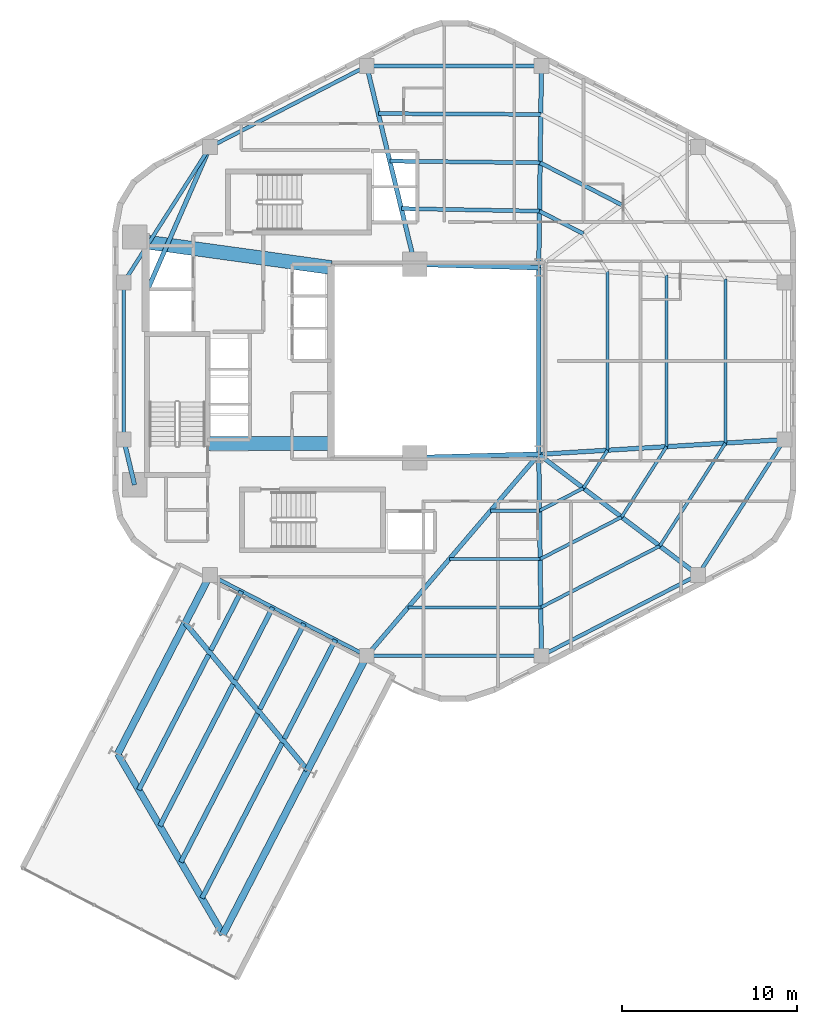
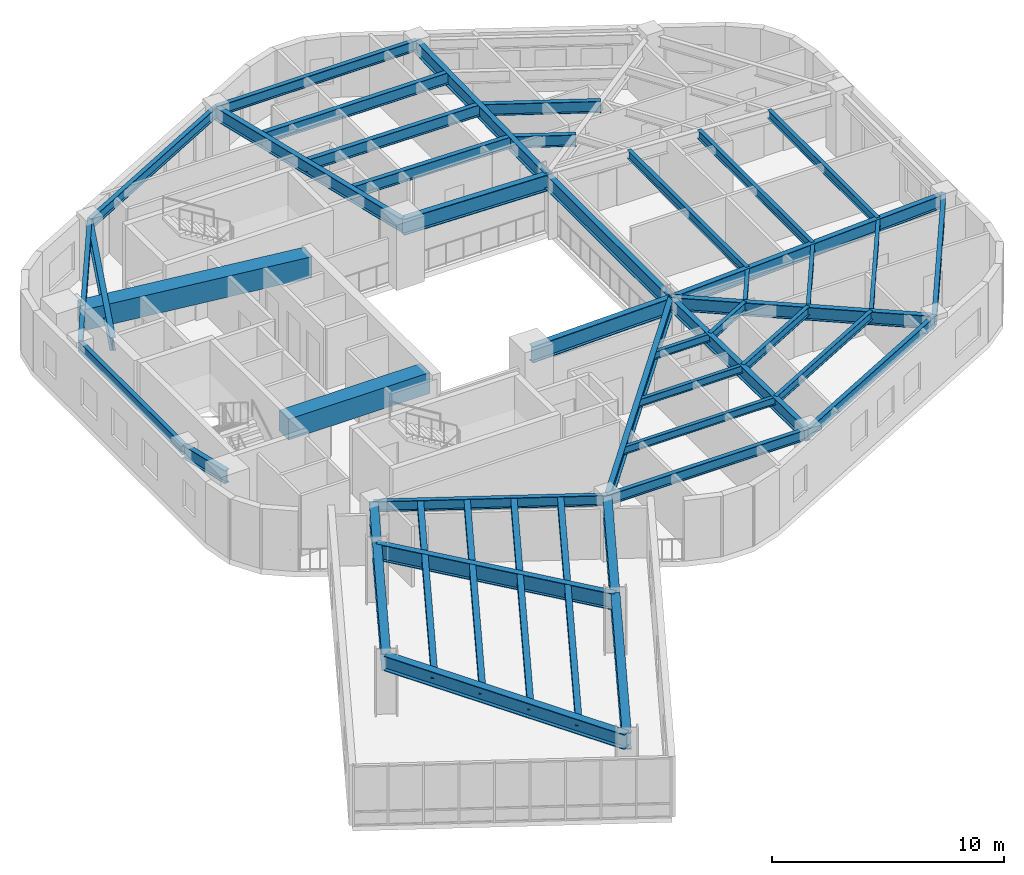
# One storey, part 3 of 10: 52 beams.
"""IFC4 building model written with IfcOpenShell, lengths in metres."""

from ifc_helpers import new_model, si_unit, direction, frame, origin, origin_2d, place, context, subcontext, project, spatial, rectangle, i_section, extrude, material, material_profile, profile_set, type_object, element, save


model = new_model("IFC4")

# Units and contexts
model_context = context("Model", 3, precision=1e-05, world=origin(), true_north=direction((0.0, 1.0)))
body_context = subcontext(model_context, "Body", "Model", "MODEL_VIEW")
ifc_project = project(units=[si_unit("LENGTHUNIT", "METRE"), si_unit("AREAUNIT", "SQUARE_METRE"), si_unit("VOLUMEUNIT", "CUBIC_METRE"), si_unit("PLANEANGLEUNIT", "RADIAN"), si_unit("MASSUNIT", "GRAM", prefix="KILO"), si_unit("THERMODYNAMICTEMPERATUREUNIT", "KELVIN"), si_unit("POWERUNIT", "WATT")], contexts=[model_context])

# Site, building, storey
site_placement = place(None, origin())
site = spatial("IfcSite", under=ifc_project, at=site_placement, CompositionType="ELEMENT")
building_placement = place(site_placement, origin())
building = spatial("IfcBuilding", under=site, at=building_placement, Name="Skarre Station Tower", CompositionType="ELEMENT")
storey_placement = place(building_placement, frame((0.0, 0.0, 180.89990234375)))
storey = spatial("IfcBuildingStorey", under=building, at=storey_placement, Name="L49", CompositionType="ELEMENT", Elevation=180.89990234375)

# Beams
ifc_material_1 = material(Name="Concrete C70/85", Category="concrete")
ifc_material_profile_1 = material_profile(ifc_material_1, rectangle(XDim=0.800048828125, YDim=1.10009765625, at=origin_2d()), Name="Concrete C70/85")
ifc_profile_set_1 = profile_set([ifc_material_profile_1], Name="Concrete C70/85")
beam_type_1 = type_object("IfcBeamType", Name="RC Core Coupling Lintel 800x1100", PredefinedType="LINTEL", material=ifc_profile_set_1)
beam_1_placement = place(storey_placement, frame((20.489990234375, 19.260009765625, 2.64013671875), z_axis=(1.0, 0.0, 0.0), x_axis=(0.0, 1.0, 0.0)))
element("IfcBeam", 1, at=beam_1_placement, inside=storey, type_object=beam_type_1, Name="L49 South Core Coupling Lintel", PredefinedType="LINTEL", context=body_context, shape_type="SweptSolid", body=[
    extrude(rectangle(XDim=0.800048828125, YDim=1.10009765625, at=origin_2d()), origin(), (0.0, 0.0, 1.0), 7.06005859375),
])
beam_2_placement = place(storey_placement, frame((17.050048828125, 30.800048828125, 2.64013671875), z_axis=(0.990599723633, -0.136792498109, 0.0), x_axis=(0.136792498109, 0.990599723633, 0.0)))
element("IfcBeam", 2, at=beam_2_placement, inside=storey, type_object=beam_type_1, Name="L49 North Core Coupling Lintel", PredefinedType="LINTEL", context=body_context, shape_type="SweptSolid", body=[
    extrude(rectangle(XDim=0.800048828125, YDim=1.10009765625, at=origin_2d()), origin(), (0.0, 0.0, 1.0), 10.599609375),
])
ifc_material_2 = material(Name="Steel ASTM A992 Grade 50", Category="steel")
ifc_material_profile_2 = material_profile(ifc_material_2, i_section(OverallWidth=0.256103515625, OverallDepth=0.693115234375, WebThickness=0.013916015625, FlangeThickness=0.02392578125, at=origin_2d()), Name="Steel ASTM A992 Grade 50")
ifc_profile_set_2 = profile_set([ifc_material_profile_2], Name="Steel ASTM A992 Grade 50")
beam_type_2 = type_object("IfcBeamType", Name="Steel Beam W27X114", PredefinedType="BEAM", material=ifc_profile_set_2)
beam_3_placement = place(storey_placement, frame((39.449951171875, 29.35009765625, 2.843994140625), z_axis=(0.013181528887, 0.999913119874, 0.0), x_axis=(-0.999913119874, 0.013181528887, 0.0)))
element("IfcBeam", 3, at=beam_3_placement, inside=storey, type_object=beam_type_2, Name="L49 Radial Floor Girder F0C2", PredefinedType="BEAM", context=body_context, shape_type="SweptSolid", body=[
    extrude(i_section(OverallWidth=0.256103515625, OverallDepth=0.693115234375, WebThickness=0.013916015625, FlangeThickness=0.02392578125, at=origin_2d()), origin(), (0.0, 0.0, 1.0), 11.538818359375),
])
beam_4_placement = place(storey_placement, frame((32.35009765625, 29.550048828125, 2.843994140625), z_axis=(-0.235892880832, 0.971779063765, 0.0), x_axis=(-0.971779063765, -0.235892880832, 0.0)))
element("IfcBeam", 4, at=beam_4_placement, inside=storey, type_object=beam_type_2, Name="L49 Radial Floor Girder F1C1", PredefinedType="BEAM", context=body_context, shape_type="SweptSolid", body=[
    extrude(i_section(OverallWidth=0.256103515625, OverallDepth=0.693115234375, WebThickness=0.013916015625, FlangeThickness=0.02392578125, at=origin_2d()), origin(), (0.0, 0.0, 1.0), 11.667236328125),
])
beam_5_placement = place(storey_placement, frame((17.010009765625, 28.0, 2.843994140625), z_axis=(0.401144174417, 0.916014929644, 0.0), x_axis=(-0.916014929644, 0.401144174417, 0.0)))
element("IfcBeam", 5, at=beam_5_placement, inside=storey, type_object=beam_type_2, Name="L49 Radial Floor Girder F1C2", PredefinedType="BEAM", context=body_context, shape_type="SweptSolid", body=[
    extrude(i_section(OverallWidth=0.256103515625, OverallDepth=0.693115234375, WebThickness=0.013916015625, FlangeThickness=0.02392578125, at=origin_2d()), origin(), (0.0, 0.0, 1.0), 9.01416015625),
])
beam_6_placement = place(storey_placement, frame((16.300048828125, 16.89990234375, 2.843994140625), z_axis=(-0.232764815072, 0.972533053867, 0.0), x_axis=(-0.972533053867, -0.232764815072, 0.0)))
element("IfcBeam", 6, at=beam_6_placement, inside=storey, type_object=beam_type_2, Name="L49 Radial Floor Girder F2C2", PredefinedType="BEAM", context=body_context, shape_type="SweptSolid", body=[
    extrude(i_section(OverallWidth=0.256103515625, OverallDepth=0.693115234375, WebThickness=0.013916015625, FlangeThickness=0.02392578125, at=origin_2d()), origin(), (0.0, 0.0, 1.0), 2.672607421875),
])
beam_7_placement = place(storey_placement, frame((39.449951171875, 18.64990234375, 2.843994140625), z_axis=(-0.649364312169, -0.760477475065, 0.0), x_axis=(0.760477475065, -0.649364312169, 0.0)))
element("IfcBeam", 7, at=beam_7_placement, inside=storey, type_object=beam_type_2, Name="L49 Radial Floor Girder F3C2", PredefinedType="BEAM", context=body_context, shape_type="SweptSolid", body=[
    extrude(i_section(OverallWidth=0.256103515625, OverallDepth=0.693115234375, WebThickness=0.013916015625, FlangeThickness=0.02392578125, at=origin_2d()), origin(), (0.0, 0.0, 1.0), 15.171875),
])
beam_8_placement = place(storey_placement, frame((39.449951171875, 18.64990234375, 2.843994140625), z_axis=(0.013181528887, -0.999913119874, 0.0), x_axis=(0.999913119874, 0.013181528887, 0.0)))
element("IfcBeam", 8, at=beam_8_placement, inside=storey, type_object=beam_type_2, Name="L49 Radial Floor Girder F4C1", PredefinedType="BEAM", context=body_context, shape_type="SweptSolid", body=[
    extrude(i_section(OverallWidth=0.256103515625, OverallDepth=0.693115234375, WebThickness=0.013916015625, FlangeThickness=0.02392578125, at=origin_2d()), origin(), (0.0, 0.0, 1.0), 11.538818359375),
])
beam_9_placement = place(storey_placement, frame((39.449951171875, 18.64990234375, 2.843994140625), z_axis=(0.797308988117, -0.603571352425, 0.0), x_axis=(0.603571352425, 0.797308988117, 0.0)))
element("IfcBeam", 9, at=beam_9_placement, inside=storey, type_object=beam_type_2, Name="L49 Radial Floor Girder F4C2", PredefinedType="BEAM", context=body_context, shape_type="SweptSolid", body=[
    extrude(i_section(OverallWidth=0.256103515625, OverallDepth=0.693115234375, WebThickness=0.013916015625, FlangeThickness=0.02392578125, at=origin_2d()), origin(), (0.0, 0.0, 1.0), 11.443603515625),
])
beam_10_placement = place(storey_placement, frame((39.449951171875, 18.64990234375, 2.843994140625), z_axis=(0.998184432941, 0.060231535207, 0.0), x_axis=(-0.060231535207, 0.998184432941, 0.0)))
element("IfcBeam", 10, at=beam_10_placement, inside=storey, type_object=beam_type_2, Name="L49 Radial Floor Girder F5C1", PredefinedType="BEAM", context=body_context, shape_type="SweptSolid", body=[
    extrude(i_section(OverallWidth=0.256103515625, OverallDepth=0.693115234375, WebThickness=0.013916015625, FlangeThickness=0.02392578125, at=origin_2d()), origin(), (0.0, 0.0, 1.0), 14.09765625),
])
ifc_material_profile_3 = material_profile(ifc_material_2, i_section(OverallWidth=0.26806640625, OverallDepth=0.77001953125, WebThickness=0.01611328125, FlangeThickness=0.02490234375, at=origin_2d()), Name="Steel ASTM A992 Grade 50")
ifc_profile_set_3 = profile_set([ifc_material_profile_3], Name="Steel ASTM A992 Grade 50")
beam_type_3 = type_object("IfcBeamType", Name="Steel Beam W30X132", PredefinedType="BEAM", material=ifc_profile_set_3)
beam_11_placement = place(storey_placement, frame((39.449951171875, 18.64990234375, 2.80517578125), z_axis=(0.0, 1.0, 0.0), x_axis=(-1.0, 0.0, 0.0)))
element("IfcBeam", 11, at=beam_11_placement, inside=storey, type_object=beam_type_3, Name="L49 Atrium East Edge Girder", PredefinedType="BEAM", context=body_context, shape_type="SweptSolid", body=[
    extrude(i_section(OverallWidth=0.26806640625, OverallDepth=0.77001953125, WebThickness=0.01611328125, FlangeThickness=0.02490234375, at=origin_2d()), origin(), (0.0, 0.0, 1.0), 10.7001953125),
])
ifc_material_profile_4 = material_profile(ifc_material_2, i_section(OverallWidth=0.2919921875, OverallDepth=0.85888671875, WebThickness=0.01708984375, FlangeThickness=0.031005859375, at=origin_2d()), Name="Steel ASTM A992 Grade 50")
ifc_profile_set_4 = profile_set([ifc_material_profile_4], Name="Steel ASTM A992 Grade 50")
beam_type_4 = type_object("IfcBeamType", Name="Steel Beam W33X169", PredefinedType="BEAM", material=ifc_profile_set_4)
for number, where, z_axis, x_axis, name in (
    (12, (32.35009765625, 18.449951171875, 2.760986328125), (0.999603666405, 0.028151556095, 0.0), (-0.028151556095, 0.999603666405, 0.0), "L49 Atrium South Edge Girder"),
    (13, (32.35009765625, 29.550048828125, 2.760986328125), (0.999603666405, -0.028151556095, 0.0), (0.028151556095, 0.999603666405, 0.0), "L49 Atrium North Edge Girder"),
):
    element("IfcBeam", number, at=place(storey_placement, frame(where, z_axis=z_axis, x_axis=x_axis)), inside=storey, type_object=beam_type_4, Name=name, PredefinedType="BEAM", context=body_context, shape_type="SweptSolid", body=[
        extrude(i_section(OverallWidth=0.2919921875, OverallDepth=0.85888671875, WebThickness=0.01708984375, FlangeThickness=0.031005859375, at=origin_2d()), origin(), (0.0, 0.0, 1.0), 7.102783203125),
    ])
beam_12_placement = place(storey_placement, frame((19.2041015625, 8.988037109375, 2.736083984375), z_axis=(0.639128306771, -0.769100128386, 0.0), x_axis=(0.769100128386, 0.639128306771, 0.0)))
element("IfcBeam", 14, at=beam_12_placement, inside=storey, type_object=beam_type_4, Name="L49 SB-4 Mid Transverse Girder", PredefinedType="BEAM", context=body_context, shape_type="SweptSolid", body=[
    extrude(i_section(OverallWidth=0.2919921875, OverallDepth=0.85888671875, WebThickness=0.01708984375, FlangeThickness=0.031005859375, at=origin_2d()), origin(), (0.0, 0.0, 1.0), 10.966064453125),
])
ifc_material_profile_5 = material_profile(ifc_material_2, i_section(OverallWidth=0.40087890625, OverallDepth=0.876953125, WebThickness=0.02197265625, FlangeThickness=0.0400390625, at=origin_2d()), Name="Steel ASTM A992 Grade 50")
ifc_profile_set_5 = profile_set([ifc_material_profile_5], Name="Steel ASTM A992 Grade 50")
beam_type_5 = type_object("IfcBeamType", Name="Steel Beam W33X263", PredefinedType="BEAM", material=ifc_profile_set_5)
beam_13_placement = place(storey_placement, frame((20.6259765625, 11.742919921875, 2.72607421875), z_axis=(-0.45864291977, -0.888620657055, 0.0), x_axis=(0.888620657055, -0.45864291977, 0.0)))
element("IfcBeam", 15, at=beam_13_placement, inside=storey, type_object=beam_type_5, Name="L49 SB-4 Side 1 Inner Girder", PredefinedType="BEAM", context=body_context, shape_type="SweptSolid", body=[
    extrude(i_section(OverallWidth=0.40087890625, OverallDepth=0.876953125, WebThickness=0.02197265625, FlangeThickness=0.0400390625, at=origin_2d()), origin(), (0.0, 0.0, 1.0), 3.10009765625),
])
beam_14_placement = place(storey_placement, frame((19.2041015625, 8.988037109375, 2.72607421875), z_axis=(-0.4586340671, -0.888625226119, 0.0), x_axis=(0.888625226119, -0.4586340671, 0.0)))
element("IfcBeam", 16, at=beam_14_placement, inside=storey, type_object=beam_type_5, Name="L49 SB-4 Side 1 Outer Girder", PredefinedType="BEAM", context=body_context, shape_type="SweptSolid", body=[
    extrude(i_section(OverallWidth=0.40087890625, OverallDepth=0.876953125, WebThickness=0.02197265625, FlangeThickness=0.0400390625, at=origin_2d()), origin(), (0.0, 0.0, 1.0), 8.429931640625),
])
beam_15_placement = place(storey_placement, frame((29.597900390625, 7.112060546875, 2.72607421875), z_axis=(-0.45866230048, -0.88861065384, 0.0), x_axis=(0.88861065384, -0.45866230048, 0.0)))
element("IfcBeam", 17, at=beam_15_placement, inside=storey, type_object=beam_type_5, Name="L49 SB-4 Side 2 Inner Girder", PredefinedType="BEAM", context=body_context, shape_type="SweptSolid", body=[
    extrude(i_section(OverallWidth=0.40087890625, OverallDepth=0.876953125, WebThickness=0.02197265625, FlangeThickness=0.0400390625, at=origin_2d()), origin(), (0.0, 0.0, 1.0), 7.380126953125),
])
beam_16_placement = place(storey_placement, frame((26.212890625, 0.553955078125, 2.72607421875), z_axis=(-0.458632918092, -0.88862581914, 0.0), x_axis=(0.88862581914, -0.458632918092, 0.0)))
element("IfcBeam", 18, at=beam_16_placement, inside=storey, type_object=beam_type_5, Name="L49 SB-4 Side 2 Outer Girder", PredefinedType="BEAM", context=body_context, shape_type="SweptSolid", body=[
    extrude(i_section(OverallWidth=0.40087890625, OverallDepth=0.876953125, WebThickness=0.02197265625, FlangeThickness=0.0400390625, at=origin_2d()), origin(), (0.0, 0.0, 1.0), 10.5703125),
])
ifc_material_profile_6 = material_profile(ifc_material_2, i_section(OverallWidth=0.177978515625, OverallDepth=0.403076171875, WebThickness=0.008056640625, FlangeThickness=0.010986328125, at=origin_2d()), Name="Steel ASTM A992 Grade 50")
ifc_profile_set_6 = profile_set([ifc_material_profile_6], Name="Steel ASTM A992 Grade 50")
beam_type_6 = type_object("IfcBeamType", Name="Steel Joist W16X36", PredefinedType="JOIST", material=ifc_profile_set_6)
beam_17_placement = place(storey_placement, frame((36.69091796875, 15.4189453125, 2.988037109375), z_axis=(1.0, 0.0, 0.0), x_axis=(0.0, 1.0, 0.0)))
element("IfcBeam", 19, at=beam_17_placement, inside=storey, type_object=beam_type_6, Name="L49 Auxiliary Composite Joist 10", PredefinedType="JOIST", context=body_context, shape_type="SweptSolid", body=[
    extrude(i_section(OverallWidth=0.177978515625, OverallDepth=0.403076171875, WebThickness=0.008056640625, FlangeThickness=0.010986328125, at=origin_2d()), origin(), (0.0, 0.0, 1.0), 2.802001953125),
])
beam_18_placement = place(storey_placement, frame((34.326904296875, 12.64990234375, 2.988037109375), z_axis=(1.0, 0.0, 0.0), x_axis=(0.0, 1.0, 0.0)))
element("IfcBeam", 20, at=beam_18_placement, inside=storey, type_object=beam_type_6, Name="L49 Auxiliary Composite Joist 11", PredefinedType="JOIST", context=body_context, shape_type="SweptSolid", body=[
    extrude(i_section(OverallWidth=0.177978515625, OverallDepth=0.403076171875, WebThickness=0.008056640625, FlangeThickness=0.010986328125, at=origin_2d()), origin(), (0.0, 0.0, 1.0), 5.2021484375),
])
beam_19_placement = place(storey_placement, frame((31.9619140625, 9.881103515625, 2.988037109375), z_axis=(1.0, 0.0, 0.0), x_axis=(0.0, 1.0, 0.0)))
element("IfcBeam", 21, at=beam_19_placement, inside=storey, type_object=beam_type_6, Name="L49 Auxiliary Composite Joist 12", PredefinedType="JOIST", context=body_context, shape_type="SweptSolid", body=[
    extrude(i_section(OverallWidth=0.177978515625, OverallDepth=0.403076171875, WebThickness=0.008056640625, FlangeThickness=0.010986328125, at=origin_2d()), origin(), (0.0, 0.0, 1.0), 7.60400390625),
])
beam_20_placement = place(storey_placement, frame((42.0048828125, 16.716064453125, 2.988037109375), z_axis=(0.537678636248, 0.843149858639, 0.0), x_axis=(-0.843149858639, 0.537678636248, 0.0)))
element("IfcBeam", 22, at=beam_20_placement, inside=storey, type_object=beam_type_6, Name="L49 Auxiliary Composite Joist 16", PredefinedType="JOIST", context=body_context, shape_type="SweptSolid", body=[
    extrude(i_section(OverallWidth=0.177978515625, OverallDepth=0.403076171875, WebThickness=0.008056640625, FlangeThickness=0.010986328125, at=origin_2d()), origin(), (0.0, 0.0, 1.0), 2.575927734375),
])
beam_21_placement = place(storey_placement, frame((44.194091796875, 15.05810546875, 2.988037109375), z_axis=(0.53785259263, 0.843038901001, 0.0), x_axis=(-0.843038901001, 0.53785259263, 0.0)))
element("IfcBeam", 23, at=beam_21_placement, inside=storey, type_object=beam_type_6, Name="L49 Auxiliary Composite Joist 17", PredefinedType="JOIST", context=body_context, shape_type="SweptSolid", body=[
    extrude(i_section(OverallWidth=0.177978515625, OverallDepth=0.403076171875, WebThickness=0.008056640625, FlangeThickness=0.010986328125, at=origin_2d()), origin(), (0.0, 0.0, 1.0), 4.783935546875),
])
beam_22_placement = place(storey_placement, frame((46.384033203125, 13.40087890625, 2.988037109375), z_axis=(0.537916675884, 0.842998012931, 0.0), x_axis=(-0.842998012931, 0.537916675884, 0.0)))
element("IfcBeam", 24, at=beam_22_placement, inside=storey, type_object=beam_type_6, Name="L49 Auxiliary Composite Joist 18", PredefinedType="JOIST", context=body_context, shape_type="SweptSolid", body=[
    extrude(i_section(OverallWidth=0.177978515625, OverallDepth=0.403076171875, WebThickness=0.008056640625, FlangeThickness=0.010986328125, at=origin_2d()), origin(), (0.0, 0.0, 1.0), 6.99169921875),
])
ifc_material_profile_7 = material_profile(ifc_material_2, i_section(OverallWidth=0.19091796875, OverallDepth=0.45703125, WebThickness=0.009033203125, FlangeThickness=0.013916015625, at=origin_2d()), Name="Steel ASTM A992 Grade 50")
ifc_profile_set_7 = profile_set([ifc_material_profile_7], Name="Steel ASTM A992 Grade 50")
beam_type_7 = type_object("IfcBeamType", Name="Steel Joist W18X50", PredefinedType="JOIST", material=ifc_profile_set_7)
beam_23_placement = place(storey_placement, frame((39.492919921875, 15.4189453125, 2.962158203125), z_axis=(0.888530947613, 0.458816690122, 0.0), x_axis=(-0.458816690122, 0.888530947613, 0.0)))
element("IfcBeam", 25, at=beam_23_placement, inside=storey, type_object=beam_type_7, Name="L49 Auxiliary Composite Joist 13", PredefinedType="JOIST", context=body_context, shape_type="SweptSolid", body=[
    extrude(i_section(OverallWidth=0.19091796875, OverallDepth=0.45703125, WebThickness=0.009033203125, FlangeThickness=0.013916015625, at=origin_2d()), origin(), (0.0, 0.0, 1.0), 2.8271484375),
])
beam_24_placement = place(storey_placement, frame((39.529052734375, 12.64990234375, 2.962158203125), z_axis=(0.888586417093, 0.458709253622, 0.0), x_axis=(-0.458709253622, 0.888586417093, 0.0)))
element("IfcBeam", 26, at=beam_24_placement, inside=storey, type_object=beam_type_7, Name="L49 Auxiliary Composite Joist 14", PredefinedType="JOIST", context=body_context, shape_type="SweptSolid", body=[
    extrude(i_section(OverallWidth=0.19091796875, OverallDepth=0.45703125, WebThickness=0.009033203125, FlangeThickness=0.013916015625, at=origin_2d()), origin(), (0.0, 0.0, 1.0), 5.25),
])
beam_25_placement = place(storey_placement, frame((39.56591796875, 9.881103515625, 2.962158203125), z_axis=(0.888580913917, 0.458719913916, 0.0), x_axis=(-0.458719913916, 0.888580913917, 0.0)))
element("IfcBeam", 27, at=beam_25_placement, inside=storey, type_object=beam_type_7, Name="L49 Auxiliary Composite Joist 15", PredefinedType="JOIST", context=body_context, shape_type="SweptSolid", body=[
    extrude(i_section(OverallWidth=0.19091796875, OverallDepth=0.45703125, WebThickness=0.009033203125, FlangeThickness=0.013916015625, at=origin_2d()), origin(), (0.0, 0.0, 1.0), 7.673095703125),
])
beam_26_placement = place(storey_placement, frame((43.389892578125, 18.887939453125, 2.962158203125), z_axis=(0.0, 1.0, 0.0), x_axis=(-1.0, 0.0, 0.0)))
element("IfcBeam", 28, at=beam_26_placement, inside=storey, type_object=beam_type_7, Name="L49 Auxiliary Composite Joist 19", PredefinedType="JOIST", context=body_context, shape_type="SweptSolid", body=[
    extrude(i_section(OverallWidth=0.19091796875, OverallDepth=0.45703125, WebThickness=0.009033203125, FlangeThickness=0.013916015625, at=origin_2d()), origin(), (0.0, 0.0, 1.0), 10.22412109375),
])
beam_27_placement = place(storey_placement, frame((46.76708984375, 19.091064453125, 2.962158203125), z_axis=(0.0, 1.0, 0.0), x_axis=(-1.0, 0.0, 0.0)))
element("IfcBeam", 29, at=beam_27_placement, inside=storey, type_object=beam_type_7, Name="L49 Auxiliary Composite Joist 20", PredefinedType="JOIST", context=body_context, shape_type="SweptSolid", body=[
    extrude(i_section(OverallWidth=0.19091796875, OverallDepth=0.45703125, WebThickness=0.009033203125, FlangeThickness=0.013916015625, at=origin_2d()), origin(), (0.0, 0.0, 1.0), 9.81787109375),
])
beam_28_placement = place(storey_placement, frame((50.14501953125, 19.294921875, 2.962158203125), z_axis=(0.0, 1.0, 0.0), x_axis=(-1.0, 0.0, 0.0)))
element("IfcBeam", 30, at=beam_28_placement, inside=storey, type_object=beam_type_7, Name="L49 Auxiliary Composite Joist 21", PredefinedType="JOIST", context=body_context, shape_type="SweptSolid", body=[
    extrude(i_section(OverallWidth=0.19091796875, OverallDepth=0.45703125, WebThickness=0.009033203125, FlangeThickness=0.013916015625, at=origin_2d()), origin(), (0.0, 0.0, 1.0), 9.41015625),
])
ifc_material_profile_8 = material_profile(ifc_material_2, i_section(OverallWidth=0.280029296875, OverallDepth=0.462890625, WebThickness=0.010986328125, FlangeThickness=0.01708984375, at=origin_2d()), Name="Steel ASTM A992 Grade 50")
ifc_profile_set_8 = profile_set([ifc_material_profile_8], Name="Steel ASTM A992 Grade 50")
beam_type_8 = type_object("IfcBeamType", Name="Steel Joist W18X76", PredefinedType="JOIST", material=ifc_profile_set_8)
beam_29_placement = place(storey_placement, frame((22.419921875, 10.81689453125, 2.93310546875), z_axis=(-0.45847488749, -0.888707363276, 0.0), x_axis=(0.888707363276, -0.45847488749, 0.0)))
element("IfcBeam", 31, at=beam_29_placement, inside=storey, type_object=beam_type_8, Name="L49 SB-4 Inner Deck Joist 1", PredefinedType="JOIST", context=body_context, shape_type="SweptSolid", body=[
    extrude(i_section(OverallWidth=0.280029296875, OverallDepth=0.462890625, WebThickness=0.010986328125, FlangeThickness=0.01708984375, at=origin_2d()), origin(), (0.0, 0.0, 1.0), 3.812255859375),
])
beam_30_placement = place(storey_placement, frame((20.5400390625, 7.173095703125, 2.93310546875), z_axis=(-0.458697157585, -0.888592661248, 0.0), x_axis=(0.888592661248, -0.458697157585, 0.0)))
element("IfcBeam", 32, at=beam_30_placement, inside=storey, type_object=beam_type_8, Name="L49 SB-4 Outer Deck Joist 1", PredefinedType="JOIST", context=body_context, shape_type="SweptSolid", body=[
    extrude(i_section(OverallWidth=0.280029296875, OverallDepth=0.462890625, WebThickness=0.010986328125, FlangeThickness=0.01708984375, at=origin_2d()), origin(), (0.0, 0.0, 1.0), 8.7138671875),
])
beam_31_placement = place(storey_placement, frame((24.215087890625, 9.89111328125, 2.93310546875), z_axis=(-0.458576321714, -0.888655027085, 0.0), x_axis=(0.888655027085, -0.458576321714, 0.0)))
element("IfcBeam", 33, at=beam_31_placement, inside=storey, type_object=beam_type_8, Name="L49 SB-4 Inner Deck Joist 2", PredefinedType="JOIST", context=body_context, shape_type="SweptSolid", body=[
    extrude(i_section(OverallWidth=0.280029296875, OverallDepth=0.462890625, WebThickness=0.010986328125, FlangeThickness=0.01708984375, at=origin_2d()), origin(), (0.0, 0.0, 1.0), 4.6689453125),
])
beam_32_placement = place(storey_placement, frame((21.94189453125, 5.486083984375, 2.93310546875), z_axis=(-0.458671492195, -0.888605909415, 0.0), x_axis=(0.888605909415, -0.458671492195, 0.0)))
element("IfcBeam", 34, at=beam_32_placement, inside=storey, type_object=beam_type_8, Name="L49 SB-4 Outer Deck Joist 2", PredefinedType="JOIST", context=body_context, shape_type="SweptSolid", body=[
    extrude(i_section(OverallWidth=0.280029296875, OverallDepth=0.462890625, WebThickness=0.010986328125, FlangeThickness=0.01708984375, at=origin_2d()), origin(), (0.0, 0.0, 1.0), 9.141357421875),
])
beam_33_placement = place(storey_placement, frame((26.009033203125, 8.964111328125, 2.93310546875), z_axis=(-0.458738614442, -0.888571259731, 0.0), x_axis=(0.888571259731, -0.458738614442, 0.0)))
element("IfcBeam", 35, at=beam_33_placement, inside=storey, type_object=beam_type_8, Name="L49 SB-4 Inner Deck Joist 3", PredefinedType="JOIST", context=body_context, shape_type="SweptSolid", body=[
    extrude(i_section(OverallWidth=0.280029296875, OverallDepth=0.462890625, WebThickness=0.010986328125, FlangeThickness=0.01708984375, at=origin_2d()), origin(), (0.0, 0.0, 1.0), 5.523681640625),
])
beam_34_placement = place(storey_placement, frame((23.343017578125, 3.800048828125, 2.93310546875), z_axis=(-0.458574691889, -0.888655868128, 0.0), x_axis=(0.888655868128, -0.458574691889, 0.0)))
element("IfcBeam", 36, at=beam_34_placement, inside=storey, type_object=beam_type_8, Name="L49 SB-4 Outer Deck Joist 3", PredefinedType="JOIST", context=body_context, shape_type="SweptSolid", body=[
    extrude(i_section(OverallWidth=0.280029296875, OverallDepth=0.462890625, WebThickness=0.010986328125, FlangeThickness=0.01708984375, at=origin_2d()), origin(), (0.0, 0.0, 1.0), 9.57080078125),
])
beam_35_placement = place(storey_placement, frame((27.803955078125, 8.0380859375, 2.93310546875), z_axis=(-0.458762805184, -0.88855877047, 0.0), x_axis=(0.88855877047, -0.458762805184, 0.0)))
element("IfcBeam", 37, at=beam_35_placement, inside=storey, type_object=beam_type_8, Name="L49 SB-4 Inner Deck Joist 4", PredefinedType="JOIST", context=body_context, shape_type="SweptSolid", body=[
    extrude(i_section(OverallWidth=0.280029296875, OverallDepth=0.462890625, WebThickness=0.010986328125, FlangeThickness=0.01708984375, at=origin_2d()), origin(), (0.0, 0.0, 1.0), 6.380126953125),
])
beam_36_placement = place(storey_placement, frame((24.7451171875, 2.113037109375, 2.93310546875), z_axis=(-0.458595026057, -0.888645374756, 0.0), x_axis=(0.888645374756, -0.458595026057, 0.0)))
element("IfcBeam", 38, at=beam_36_placement, inside=storey, type_object=beam_type_8, Name="L49 SB-4 Outer Deck Joist 4", PredefinedType="JOIST", context=body_context, shape_type="SweptSolid", body=[
    extrude(i_section(OverallWidth=0.280029296875, OverallDepth=0.462890625, WebThickness=0.010986328125, FlangeThickness=0.01708984375, at=origin_2d()), origin(), (0.0, 0.0, 1.0), 9.998291015625),
])
ifc_material_profile_9 = material_profile(ifc_material_2, i_section(OverallWidth=0.22802734375, OverallDepth=0.60791015625, WebThickness=0.010986328125, FlangeThickness=0.01708984375, at=origin_2d()), Name="Steel ASTM A992 Grade 50")
ifc_profile_set_9 = profile_set([ifc_material_profile_9], Name="Steel ASTM A992 Grade 50")
beam_type_9 = type_object("IfcBeamType", Name="Steel Joist W24X76", PredefinedType="JOIST", material=ifc_profile_set_9)
beam_37_placement = place(storey_placement, frame((42.0048828125, 31.283935546875, 2.885986328125), z_axis=(-0.888530947613, 0.458816690122, 0.0), x_axis=(-0.458816690122, -0.888530947613, 0.0)))
element("IfcBeam", 39, at=beam_37_placement, inside=storey, type_object=beam_type_9, Name="L49 Secondary Floor Joist 1", PredefinedType="JOIST", context=body_context, shape_type="SweptSolid", body=[
    extrude(i_section(OverallWidth=0.22802734375, OverallDepth=0.60791015625, WebThickness=0.010986328125, FlangeThickness=0.01708984375, at=origin_2d()), origin(), (0.0, 0.0, 1.0), 2.8271484375),
])
beam_38_placement = place(storey_placement, frame((44.194091796875, 32.94189453125, 2.885986328125), z_axis=(-0.888586417093, 0.458709253622, 0.0), x_axis=(-0.458709253622, -0.888586417093, 0.0)))
element("IfcBeam", 40, at=beam_38_placement, inside=storey, type_object=beam_type_9, Name="L49 Secondary Floor Joist 2", PredefinedType="JOIST", context=body_context, shape_type="SweptSolid", body=[
    extrude(i_section(OverallWidth=0.22802734375, OverallDepth=0.60791015625, WebThickness=0.010986328125, FlangeThickness=0.01708984375, at=origin_2d()), origin(), (0.0, 0.0, 1.0), 5.25),
])
beam_39_placement = place(storey_placement, frame((39.492919921875, 32.5810546875, 2.885986328125), z_axis=(-0.999834394757, 0.01819843569, 0.0), x_axis=(-0.01819843569, -0.999834394757, 0.0)))
element("IfcBeam", 41, at=beam_39_placement, inside=storey, type_object=beam_type_9, Name="L49 Secondary Floor Joist 4", PredefinedType="JOIST", context=body_context, shape_type="SweptSolid", body=[
    extrude(i_section(OverallWidth=0.22802734375, OverallDepth=0.60791015625, WebThickness=0.010986328125, FlangeThickness=0.01708984375, at=origin_2d()), origin(), (0.0, 0.0, 1.0), 7.9150390625),
])
beam_40_placement = place(storey_placement, frame((39.529052734375, 35.35009765625, 2.885986328125), z_axis=(-0.999937916295, 0.011142870137, 0.0), x_axis=(-0.011142870137, -0.999937916295, 0.0)))
element("IfcBeam", 42, at=beam_40_placement, inside=storey, type_object=beam_type_9, Name="L49 Secondary Floor Joist 5", PredefinedType="JOIST", context=body_context, shape_type="SweptSolid", body=[
    extrude(i_section(OverallWidth=0.22802734375, OverallDepth=0.60791015625, WebThickness=0.010986328125, FlangeThickness=0.01708984375, at=origin_2d()), origin(), (0.0, 0.0, 1.0), 8.610595703125),
])
beam_41_placement = place(storey_placement, frame((39.56591796875, 38.118896484375, 2.885986328125), z_axis=(-0.999986650222, 0.005167144134, 0.0), x_axis=(-0.005167144134, -0.999986650222, 0.0)))
element("IfcBeam", 43, at=beam_41_placement, inside=storey, type_object=beam_type_9, Name="L49 Secondary Floor Joist 6", PredefinedType="JOIST", context=body_context, shape_type="SweptSolid", body=[
    extrude(i_section(OverallWidth=0.22802734375, OverallDepth=0.60791015625, WebThickness=0.010986328125, FlangeThickness=0.01708984375, at=origin_2d()), origin(), (0.0, 0.0, 1.0), 9.30810546875),
])
ifc_material_profile_10 = material_profile(ifc_material_2, i_section(OverallWidth=0.214111328125, OverallDepth=0.549072265625, WebThickness=0.014892578125, FlangeThickness=0.02392578125, at=origin_2d()), Name="Steel ASTM A992 Grade 50")
ifc_profile_set_10 = profile_set([ifc_material_profile_10], Name="Steel ASTM A992 Grade 50")
beam_type_10 = type_object("IfcBeamType", Name="Steel Spandrel W21X93", PredefinedType="SPANDREL", material=ifc_profile_set_10)
beam_42_placement = place(storey_placement, frame((39.60205078125, 40.887939453125, 2.916015625), z_axis=(-1.0, 0.0, 0.0), x_axis=(0.0, -1.0, 0.0)))
element("IfcBeam", 44, at=beam_42_placement, inside=storey, type_object=beam_type_10, Name="L49 Facet Spandrel Beam 2", PredefinedType="SPANDREL", context=body_context, shape_type="SweptSolid", body=[
    extrude(i_section(OverallWidth=0.214111328125, OverallDepth=0.549072265625, WebThickness=0.014892578125, FlangeThickness=0.02392578125, at=origin_2d()), origin(), (0.0, 0.0, 1.0), 10.004150390625),
])
beam_43_placement = place(storey_placement, frame((29.597900390625, 40.887939453125, 2.916015625), z_axis=(-0.888613027226, -0.458657702262, 0.0), x_axis=(0.458657702262, -0.888613027226, 0.0)))
element("IfcBeam", 45, at=beam_43_placement, inside=storey, type_object=beam_type_10, Name="L49 Facet Spandrel Beam 3", PredefinedType="SPANDREL", context=body_context, shape_type="SweptSolid", body=[
    extrude(i_section(OverallWidth=0.214111328125, OverallDepth=0.549072265625, WebThickness=0.014892578125, FlangeThickness=0.02392578125, at=origin_2d()), origin(), (0.0, 0.0, 1.0), 10.096435546875),
])
beam_44_placement = place(storey_placement, frame((20.6259765625, 36.257080078125, 2.916015625), z_axis=(-0.537826426158, -0.843055594445, 0.0), x_axis=(0.843055594445, -0.537826426158, 0.0)))
element("IfcBeam", 46, at=beam_44_placement, inside=storey, type_object=beam_type_10, Name="L49 Facet Spandrel Beam 4", PredefinedType="SPANDREL", context=body_context, shape_type="SweptSolid", body=[
    extrude(i_section(OverallWidth=0.214111328125, OverallDepth=0.549072265625, WebThickness=0.014892578125, FlangeThickness=0.02392578125, at=origin_2d()), origin(), (0.0, 0.0, 1.0), 9.199951171875),
])
beam_45_placement = place(storey_placement, frame((15.677978515625, 28.5009765625, 2.916015625), z_axis=(0.0, -1.0, 0.0), x_axis=(1.0, 0.0, 0.0)))
element("IfcBeam", 47, at=beam_45_placement, inside=storey, type_object=beam_type_10, Name="L49 Facet Spandrel Beam 5", PredefinedType="SPANDREL", context=body_context, shape_type="SweptSolid", body=[
    extrude(i_section(OverallWidth=0.214111328125, OverallDepth=0.549072265625, WebThickness=0.014892578125, FlangeThickness=0.02392578125, at=origin_2d()), origin(), (0.0, 0.0, 1.0), 9.001953125),
])
beam_46_placement = place(storey_placement, frame((20.6259765625, 11.742919921875, 2.916015625), z_axis=(0.888613027226, -0.458657702262, 0.0), x_axis=(0.458657702262, 0.888613027226, 0.0)))
element("IfcBeam", 48, at=beam_46_placement, inside=storey, type_object=beam_type_10, Name="L49 Facet Spandrel Beam 7", PredefinedType="SPANDREL", context=body_context, shape_type="SweptSolid", body=[
    extrude(i_section(OverallWidth=0.214111328125, OverallDepth=0.549072265625, WebThickness=0.014892578125, FlangeThickness=0.02392578125, at=origin_2d()), origin(), (0.0, 0.0, 1.0), 10.096435546875),
])
beam_47_placement = place(storey_placement, frame((29.597900390625, 7.112060546875, 2.916015625), z_axis=(1.0, 0.0, 0.0), x_axis=(0.0, 1.0, 0.0)))
element("IfcBeam", 49, at=beam_47_placement, inside=storey, type_object=beam_type_10, Name="L49 Facet Spandrel Beam 8", PredefinedType="SPANDREL", context=body_context, shape_type="SweptSolid", body=[
    extrude(i_section(OverallWidth=0.214111328125, OverallDepth=0.549072265625, WebThickness=0.014892578125, FlangeThickness=0.02392578125, at=origin_2d()), origin(), (0.0, 0.0, 1.0), 10.004150390625),
])
beam_48_placement = place(storey_placement, frame((39.60205078125, 7.112060546875, 2.916015625), z_axis=(0.888613027226, 0.458657702262, 0.0), x_axis=(-0.458657702262, 0.888613027226, 0.0)))
element("IfcBeam", 50, at=beam_48_placement, inside=storey, type_object=beam_type_10, Name="L49 Facet Spandrel Beam 9", PredefinedType="SPANDREL", context=body_context, shape_type="SweptSolid", body=[
    extrude(i_section(OverallWidth=0.214111328125, OverallDepth=0.549072265625, WebThickness=0.014892578125, FlangeThickness=0.02392578125, at=origin_2d()), origin(), (0.0, 0.0, 1.0), 10.096435546875),
])
beam_49_placement = place(storey_placement, frame((48.573974609375, 11.742919921875, 2.916015625), z_axis=(0.537826426158, 0.843055594445, 0.0), x_axis=(-0.843055594445, 0.537826426158, 0.0)))
element("IfcBeam", 51, at=beam_49_placement, inside=storey, type_object=beam_type_10, Name="L49 Facet Spandrel Beam 10", PredefinedType="SPANDREL", context=body_context, shape_type="SweptSolid", body=[
    extrude(i_section(OverallWidth=0.214111328125, OverallDepth=0.549072265625, WebThickness=0.014892578125, FlangeThickness=0.02392578125, at=origin_2d()), origin(), (0.0, 0.0, 1.0), 9.199951171875),
])
ifc_material_profile_11 = material_profile(ifc_material_2, i_section(OverallWidth=0.384033203125, OverallDepth=0.785888671875, WebThickness=0.02001953125, FlangeThickness=0.032958984375, at=origin_2d()), Name="Steel ASTM A992 Grade 50")
ifc_profile_set_11 = profile_set([ifc_material_profile_11], Name="Steel ASTM A992 Grade 50")
beam_type_11 = type_object("IfcBeamType", Name="Steel Spandrel W30X211", PredefinedType="SPANDREL", material=ifc_profile_set_11)
beam_50_placement = place(storey_placement, frame((15.337890625, 1.4970703125, 2.772216796875), z_axis=(0.503725121099, -0.863863995299, 0.0), x_axis=(0.863863995299, 0.503725121099, 0.0)))
element("IfcBeam", 52, at=beam_50_placement, inside=storey, type_object=beam_type_11, Name="L49 SB-4 Prow Spandrel Girder", PredefinedType="SPANDREL", context=body_context, shape_type="SweptSolid", body=[
    extrude(i_section(OverallWidth=0.384033203125, OverallDepth=0.785888671875, WebThickness=0.02001953125, FlangeThickness=0.032958984375, at=origin_2d()), origin(), (0.0, 0.0, 1.0), 11.965087890625),
])

save(model, "model.ifc")
